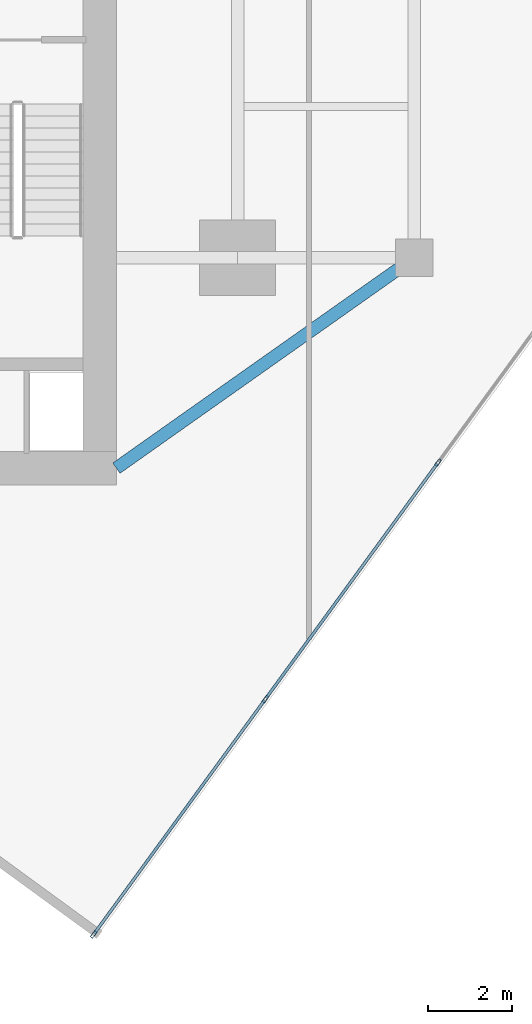
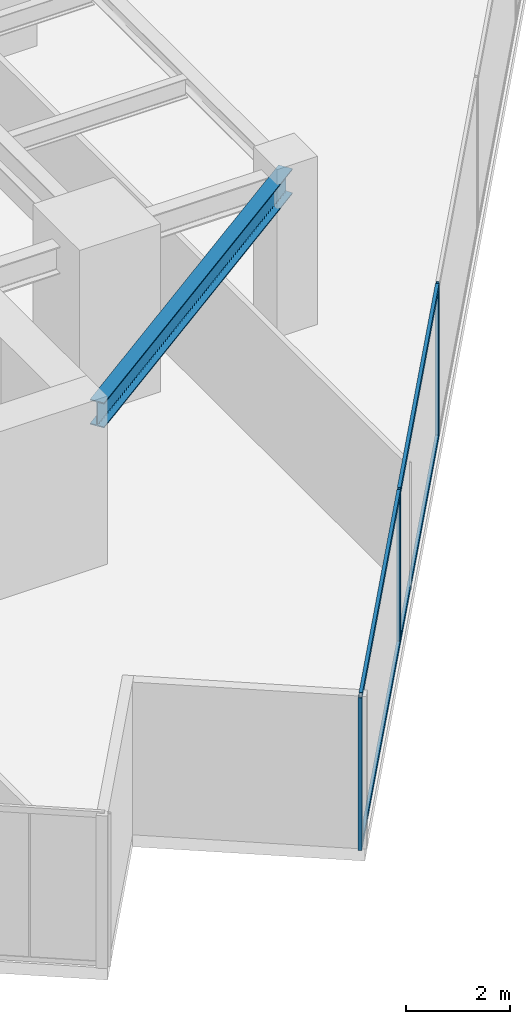
# One storey, part 8 of 25: 7 members, 1 beam, 1 element without a shape of its own.
"""IFC4 building model written with IfcOpenShell, lengths in metres."""

from ifc_helpers import new_model, si_unit, direction, frame, origin, origin_2d, place, context, subcontext, project, spatial, hollow_rectangle, i_section, extrude, source, transform, mapped, material, material_profile, profile_set, type_object, type_shapes, element, aggregate, save


model = new_model("IFC4")

# Units and contexts
model_context = context("Model", 3, precision=1e-05, world=origin(), true_north=direction((0.0, 1.0)))
body_context = subcontext(model_context, "Body", "Model", "MODEL_VIEW")
ifc_project = project(units=[si_unit("LENGTHUNIT", "METRE"), si_unit("AREAUNIT", "SQUARE_METRE"), si_unit("VOLUMEUNIT", "CUBIC_METRE"), si_unit("PLANEANGLEUNIT", "RADIAN"), si_unit("MASSUNIT", "GRAM", prefix="KILO")], contexts=[model_context])

# Site, building, storey
site_placement = place(None, origin())
site = spatial("IfcSite", under=ifc_project, at=site_placement, CompositionType="ELEMENT")
building_placement = place(site_placement, origin())
building = spatial("IfcBuilding", under=site, at=building_placement, Name="Krantzveldt Concourse Tower", CompositionType="ELEMENT")
storey_placement = place(building_placement, frame((0.0, 0.0, 197.550048828125)))
storey = spatial("IfcBuildingStorey", under=building, at=storey_placement, Name="L48", CompositionType="ELEMENT", Elevation=197.550048828125)

# Beam
ifc_material_1 = material(Name="Steel S355JR", Category="steel")
ifc_material_profile_1 = material_profile(ifc_material_1, i_section(OverallWidth=0.300048828125, OverallDepth=0.590087890625, WebThickness=0.012939453125, FlangeThickness=0.02490234375, FilletRadius=0.027099609375, at=origin_2d()), Name="Steel S355JR", Category="steel")
ifc_profile_set_1 = profile_set([ifc_material_profile_1], Name="Steel S355JR - HEA 600")
beam_type = type_object("IfcBeamType", Name="BM-B-HEA600", PredefinedType="BEAM", material=ifc_profile_set_1)
shared_shape_1 = source(origin(), body_context, "Body", "SweptSolid", [
    extrude(i_section(OverallWidth=0.300048828125, OverallDepth=0.590087890625, WebThickness=0.012939453125, FlangeThickness=0.02490234375, FilletRadius=0.027099609375, at=origin_2d()), origin(), (0.0, 0.0, 1.0), 8.667724609375),
])
type_shapes(beam_type, [shared_shape_1])
beam_placement = place(storey_placement, frame((51.0, 15.89990234375, 3.294921875), z_axis=(-0.81684294656, -0.576860122261, 0.0), x_axis=(0.576860122261, -0.81684294656, 0.0)))
element("IfcBeam", 1, at=beam_placement, inside=storey, type_object=beam_type, Name="L48 Tower Girder BR-CSE", PredefinedType="BEAM", context=body_context, shape_type="MappedRepresentation", body=[
    mapped(shared_shape_1, transform((0.0, 0.0, 0.0), x_axis=(1.0, 0.0, 0.0), y_axis=(0.0, 1.0, 0.0), z_axis=(0.0, 0.0, 1.0), scale=1.0)),
])

# Curtain wall, members
ifc_material_2 = material(Name="Anodised aluminium 6063-T6", Category="aluminium")
curtain_wall_type = type_object("IfcCurtainWallType", Name="CW3", PredefinedType="USERDEFINED", material=ifc_material_2)
curtain_wall_placement = place(storey_placement, origin())
curtain_wall = element("IfcCurtainWall", 2, at=curtain_wall_placement, inside=storey, type_object=curtain_wall_type, Name="CW-L48-F07", ObjectType="UNITISED CURTAIN WALL", PredefinedType="USERDEFINED")
ifc_material_profile_2 = material_profile(ifc_material_2, hollow_rectangle(XDim=0.070068359375, YDim=0.179931640625, WallThickness=0.0048828125, at=origin_2d()), Name="Anodised aluminium 6063-T6", Category="aluminium")
ifc_profile_set_2 = profile_set([ifc_material_profile_2], Name="Anodised aluminium 6063-T6 - ALU-MULL 180x70x5")
member_type_1 = type_object("IfcMemberType", Name="CW-MUL-180", PredefinedType="MULLION", material=ifc_profile_set_2)
shared_shape_2 = source(origin(), body_context, "Body", "SweptSolid", [
    extrude(hollow_rectangle(XDim=0.070068359375, YDim=0.179931640625, WallThickness=0.0048828125, at=origin_2d()), origin(), (0.0, 0.0, 1.0), 3.58984375),
])
type_shapes(member_type_1, [shared_shape_2])
member_1_placement = place(storey_placement, frame((43.379150390625, -0.184326171875, 0.0), z_axis=(0.0, 0.0, 1.0), x_axis=(-0.807732735781, 0.589548833895, 0.0)))
member_1 = element("IfcMember", 3, at=member_1_placement, type_object=member_type_1, Name="CW-Z34 mullion 1", PredefinedType="MULLION", context=body_context, shape_type="MappedRepresentation", body=[
    mapped(shared_shape_2, transform((0.0, 0.0, 0.0), x_axis=(1.0, 0.0, 0.0), y_axis=(0.0, 1.0, 0.0), z_axis=(0.0, 0.0, 1.0), scale=1.0)),
])
member_2_placement = place(storey_placement, frame((47.461669921875, 5.4091796875, 0.0), z_axis=(0.0, 0.0, 1.0), x_axis=(-0.807732735781, 0.589548833895, 0.0)))
member_2 = element("IfcMember", 4, at=member_2_placement, type_object=member_type_1, Name="CW-Z34 mullion 2", PredefinedType="MULLION", context=body_context, shape_type="MappedRepresentation", body=[
    mapped(shared_shape_2, transform((0.0, 0.0, 0.0), x_axis=(1.0, 0.0, 0.0), y_axis=(0.0, 1.0, 0.0), z_axis=(0.0, 0.0, 1.0), scale=1.0)),
])
member_3_placement = place(storey_placement, frame((51.56494140625, 11.031005859375, 0.0), z_axis=(0.0, 0.0, 1.0), x_axis=(-0.807732735781, 0.589548833895, 0.0)))
member_3 = element("IfcMember", 5, at=member_3_placement, type_object=member_type_1, Name="CW-Z34 mullion 3", PredefinedType="MULLION", context=body_context, shape_type="MappedRepresentation", body=[
    mapped(shared_shape_2, transform((0.0, 0.0, 0.0), x_axis=(1.0, 0.0, 0.0), y_axis=(0.0, 1.0, 0.0), z_axis=(0.0, 0.0, 1.0), scale=1.0)),
])
ifc_material_profile_3 = material_profile(ifc_material_2, hollow_rectangle(XDim=0.070068359375, YDim=0.139892578125, WallThickness=0.0048828125, at=origin_2d()), Name="Anodised aluminium 6063-T6", Category="aluminium")
ifc_profile_set_3 = profile_set([ifc_material_profile_3], Name="Anodised aluminium 6063-T6 - ALU-TRAN 140x70x5")
member_type_2 = type_object("IfcMemberType", Name="CW-TRN-150", PredefinedType="USERDEFINED", material=ifc_profile_set_3)
shared_shape_3 = source(origin(), body_context, "Body", "SweptSolid", [
    extrude(hollow_rectangle(XDim=0.070068359375, YDim=0.139892578125, WallThickness=0.0048828125, at=origin_2d()), origin(), (0.0, 0.0, 1.0), 6.85498046875),
])
member_4_placement = place(storey_placement, frame((43.399658203125, -0.156005859375, 0.034912109375), z_axis=(0.589572702153, 0.807715314252, 0.0), x_axis=(-0.807715314252, 0.589572702153, 0.0)))
member_4 = element("IfcMember", 6, at=member_4_placement, type_object=member_type_2, Name="CW-Z34 transom 1.1", ObjectType="TRANSOM", PredefinedType="USERDEFINED", context=body_context, shape_type="MappedRepresentation", body=[
    mapped(shared_shape_3, transform((0.0, 0.0, 0.0), x_axis=(1.0, 0.0, 0.0), y_axis=(0.0, 1.0, 0.0), z_axis=(0.0, 0.0, 1.0), scale=1.0)),
])
member_5_placement = place(storey_placement, frame((43.399658203125, -0.156005859375, 3.554931640625), z_axis=(0.589572702153, 0.807715314252, 0.0), x_axis=(-0.807715314252, 0.589572702153, 0.0)))
member_5 = element("IfcMember", 7, at=member_5_placement, type_object=member_type_2, Name="CW-Z34 transom 1.2", ObjectType="TRANSOM", PredefinedType="USERDEFINED", context=body_context, shape_type="MappedRepresentation", body=[
    mapped(shared_shape_3, transform((0.0, 0.0, 0.0), x_axis=(1.0, 0.0, 0.0), y_axis=(0.0, 1.0, 0.0), z_axis=(0.0, 0.0, 1.0), scale=1.0)),
])
shared_shape_4 = source(origin(), body_context, "Body", "SweptSolid", [
    extrude(hollow_rectangle(XDim=0.070068359375, YDim=0.139892578125, WallThickness=0.0048828125, at=origin_2d()), origin(), (0.0, 0.0, 1.0), 6.889892578125),
])
type_shapes(member_type_2, [shared_shape_3, shared_shape_4])
member_6_placement = place(storey_placement, frame((47.482421875, 5.4375, 0.034912109375), z_axis=(0.589557179589, 0.807726644352, 0.0), x_axis=(-0.807726644352, 0.589557179589, 0.0)))
member_6 = element("IfcMember", 8, at=member_6_placement, type_object=member_type_2, Name="CW-Z34 transom 2.1", ObjectType="TRANSOM", PredefinedType="USERDEFINED", context=body_context, shape_type="MappedRepresentation", body=[
    mapped(shared_shape_4, transform((0.0, 0.0, 0.0), x_axis=(1.0, 0.0, 0.0), y_axis=(0.0, 1.0, 0.0), z_axis=(0.0, 0.0, 1.0), scale=1.0)),
])
member_7_placement = place(storey_placement, frame((47.482421875, 5.4375, 3.554931640625), z_axis=(0.589557179589, 0.807726644352, 0.0), x_axis=(-0.807726644352, 0.589557179589, 0.0)))
member_7 = element("IfcMember", 9, at=member_7_placement, type_object=member_type_2, Name="CW-Z34 transom 2.2", ObjectType="TRANSOM", PredefinedType="USERDEFINED", context=body_context, shape_type="MappedRepresentation", body=[
    mapped(shared_shape_4, transform((0.0, 0.0, 0.0), x_axis=(1.0, 0.0, 0.0), y_axis=(0.0, 1.0, 0.0), z_axis=(0.0, 0.0, 1.0), scale=1.0)),
])
aggregate(curtain_wall, [member_1, member_2, member_3, member_4, member_5, member_6, member_7])

save(model, "model.ifc")
